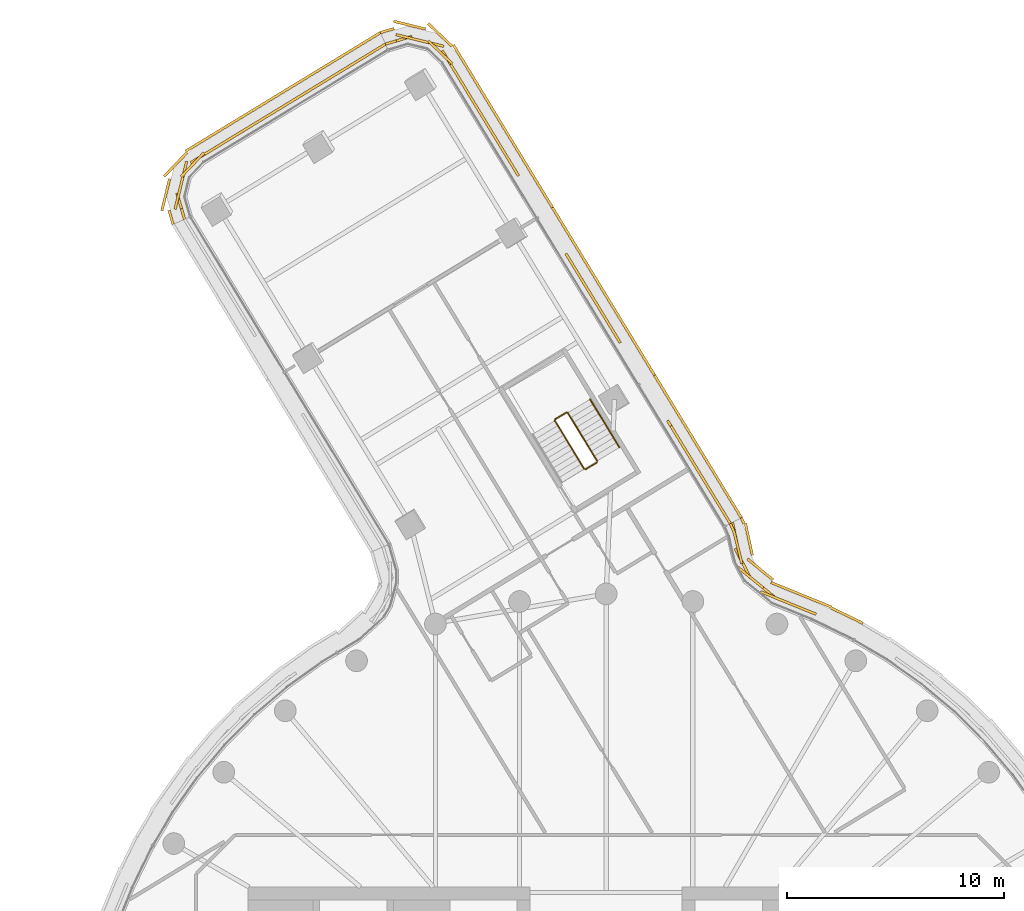
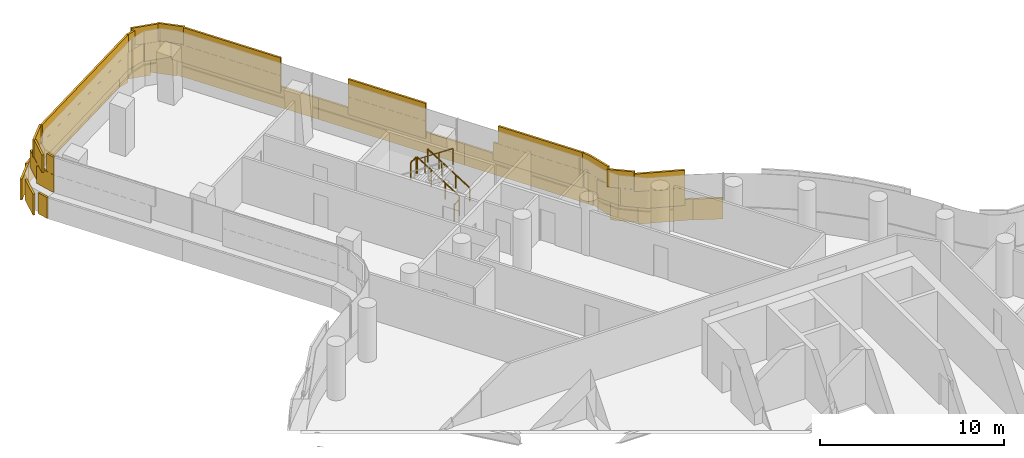
# One storey, part 34 of 35: 5 coverings, 5 railings.
"""IFC4 building model written with IfcOpenShell, lengths in metres."""

from ifc_helpers import new_model, si_unit, direction, frame, origin, origin_2d, place, context, subcontext, project, spatial, rectangle, circle, extrude, material, layer, layer_set, type_object, element, save


model = new_model("IFC4")

# Units and contexts
model_context = context("Model", 3, precision=1e-05, world=origin(), true_north=direction((0.0, 1.0)))
body_context = subcontext(model_context, "Body", "Model", "MODEL_VIEW")
ifc_project = project(units=[si_unit("LENGTHUNIT", "METRE"), si_unit("AREAUNIT", "SQUARE_METRE"), si_unit("VOLUMEUNIT", "CUBIC_METRE"), si_unit("PLANEANGLEUNIT", "RADIAN"), si_unit("MASSUNIT", "GRAM", prefix="KILO")], contexts=[model_context])

# Site, building, storey
site_placement = place(None, origin())
site = spatial("IfcSite", under=ifc_project, at=site_placement, CompositionType="ELEMENT")
building_placement = place(site_placement, origin())
building = spatial("IfcBuilding", under=site, at=building_placement, Name="Tamarind Cross Interchange Tower", CompositionType="ELEMENT")
storey_placement = place(building_placement, frame((0.0, 0.0, 148.0)))
storey = spatial("IfcBuildingStorey", under=building, at=storey_placement, Name="L36", CompositionType="ELEMENT", Elevation=148.0)

# Railings
ifc_material_1 = material(Name="Stair guard")
railing_type_1 = type_object("IfcRailingType", Name="Stair guard", PredefinedType="GUARDRAIL", material=ifc_material_1)
railing_1_placement = place(storey_placement, frame((-0.416015625, 29.123046875, 0.17041015625)))
element("IfcRailing", 1, at=railing_1_placement, inside=storey, type_object=railing_type_1, Name="L36 ST4 stair guard 1", PredefinedType="GUARDRAIL", context=body_context, shape_type="SweptSolid", body=[
    extrude(circle(Radius=0.02392578125, at=origin_2d()), frame((0.0, 0.0, 1.076171875), z_axis=(-0.435025731592, 0.714258854614, 0.548258061006), x_axis=(-0.854060727931, -0.520173310547, 0.0)), (0.0, 0.0, 1.0), 3.109130859375),
    extrude(circle(Radius=0.02099609375, at=origin_2d()), origin(), (0.0, 0.0, 1.0), 1.052001953125),
    extrude(circle(Radius=0.02099609375, at=origin_2d()), frame((-0.450927734375, 0.740234375, 0.568115234375)), (0.0, 0.0, 1.0), 1.052001953125),
    extrude(circle(Radius=0.02099609375, at=origin_2d()), frame((-0.901611328125, 1.48046875, 1.136474609375)), (0.0, 0.0, 1.0), 1.052001953125),
    extrude(circle(Radius=0.02099609375, at=origin_2d()), frame((-1.3525390625, 2.220703125, 1.70458984375)), (0.0, 0.0, 1.0), 1.052001953125),
])
railing_2_placement = place(storey_placement, frame((-1.837158203125, 31.3603515625, 1.875)))
element("IfcRailing", 2, at=railing_2_placement, inside=storey, type_object=railing_type_1, Name="L36 ST4 stair guard 2", PredefinedType="GUARDRAIL", context=body_context, shape_type="SweptSolid", body=[
    extrude(circle(Radius=0.02392578125, at=origin_2d()), frame((0.0, 0.0, 1.076171875), z_axis=(-0.854135686467, -0.520050217868, 0.0), x_axis=(0.520050217868, -0.854135686467, 0.0)), (0.0, 0.0, 1.0), 0.599853515625),
    extrude(circle(Radius=0.02099609375, at=origin_2d()), origin(), (0.0, 0.0, 1.0), 1.052001953125),
    extrude(circle(Radius=0.02099609375, at=origin_2d()), frame((-0.512451171875, -0.31201171875, 0.0)), (0.0, 0.0, 1.0), 1.052001953125),
])
railing_3_placement = place(storey_placement, frame((-2.3662109375, 30.9794921875, 2.04541015625)))
element("IfcRailing", 3, at=railing_3_placement, inside=storey, type_object=railing_type_1, Name="L36 ST4 stair guard 3", PredefinedType="GUARDRAIL", context=body_context, shape_type="SweptSolid", body=[
    extrude(circle(Radius=0.02392578125, at=origin_2d()), frame((0.0, 0.0, 1.076171875), z_axis=(0.434986462403, -0.714244787066, 0.548307542968), x_axis=(0.854077037079, 0.520146531983, 0.0)), (0.0, 0.0, 1.0), 3.10888671875),
    extrude(circle(Radius=0.02099609375, at=origin_2d()), origin(), (0.0, 0.0, 1.0), 1.052001953125),
    extrude(circle(Radius=0.02099609375, at=origin_2d()), frame((0.45068359375, -0.740234375, 0.568115234375)), (0.0, 0.0, 1.0), 1.052001953125),
    extrude(circle(Radius=0.02099609375, at=origin_2d()), frame((0.901611328125, -1.480224609375, 1.136474609375)), (0.0, 0.0, 1.0), 1.052001953125),
    extrude(circle(Radius=0.02099609375, at=origin_2d()), frame((1.352294921875, -2.220458984375, 1.70458984375)), (0.0, 0.0, 1.0), 1.052001953125),
])
railing_4_placement = place(storey_placement, frame((-0.4326171875, 29.054443359375, 0.0)))
element("IfcRailing", 4, at=railing_4_placement, inside=storey, type_object=railing_type_1, Name="L36 ST4 stair guard 4", PredefinedType="GUARDRAIL", context=body_context, shape_type="SweptSolid", body=[
    extrude(circle(Radius=0.02392578125, at=origin_2d()), frame((0.0, 0.0, 1.076171875), z_axis=(-0.854135686467, -0.520050217868, 0.0), x_axis=(0.520050217868, -0.854135686467, 0.0)), (0.0, 0.0, 1.0), 0.599853515625),
    extrude(circle(Radius=0.02099609375, at=origin_2d()), origin(), (0.0, 0.0, 1.0), 1.052001953125),
    extrude(circle(Radius=0.02099609375, at=origin_2d()), frame((-0.512451171875, -0.31201171875, 0.0)), (0.0, 0.0, 1.0), 1.052001953125),
])
ifc_material_2 = material(Name="Stair handrail")
railing_type_2 = type_object("IfcRailingType", Name="Stair handrail", PredefinedType="HANDRAIL", material=ifc_material_2)
railing_5_placement = place(storey_placement, frame((0.60888671875, 29.747314453125, 0.17041015625)))
element("IfcRailing", 5, at=railing_5_placement, inside=storey, type_object=railing_type_2, Name="L36 ST4 stair handrail 1", PredefinedType="HANDRAIL", context=body_context, shape_type="SweptSolid", body=[
    extrude(circle(Radius=0.02392578125, at=origin_2d()), frame((0.0, 0.0, 0.8759765625), z_axis=(-0.435025731592, 0.714258854614, 0.548258061006), x_axis=(-0.854060727931, -0.520173310547, 0.0)), (0.0, 0.0, 1.0), 3.109130859375),
    extrude(circle(Radius=0.02099609375, at=origin_2d()), origin(), (0.0, 0.0, 1.0), 0.851806640625),
    extrude(circle(Radius=0.02099609375, at=origin_2d()), frame((-0.450927734375, 0.740234375, 0.568115234375)), (0.0, 0.0, 1.0), 0.851806640625),
    extrude(circle(Radius=0.02099609375, at=origin_2d()), frame((-0.901611328125, 1.48046875, 1.136474609375)), (0.0, 0.0, 1.0), 0.851806640625),
    extrude(circle(Radius=0.02099609375, at=origin_2d()), frame((-1.3525390625, 2.220703125, 1.70458984375)), (0.0, 0.0, 1.0), 0.851806640625),
])

# Coverings
ifc_material_3 = material(Name="Terracotta", Category="masonry")
ifc_layer = layer(ifc_material_3, 0.1201171875)
ifc_layer_set = layer_set([ifc_layer], Name="Terracotta")
covering_type = type_object("IfcCoveringType", Name="Terracotta baguette screen unit", PredefinedType="MOLDING", material=ifc_layer_set)
covering_1_placement = place(storey_placement, origin())
element("IfcCovering", 6, at=covering_1_placement, inside=storey, type_object=covering_type, Name="SCR-L36-10-01", PredefinedType="MOLDING", context=body_context, shape_type="SweptSolid", body=[
    extrude(rectangle(XDim=0.5107421875, YDim=0.1201171875, at=origin_2d()), frame((9.43115234375, 22.159423828125, 1.404052734375), z_axis=(0.0, 0.0, 1.0), x_axis=(-0.92620693813, 0.377015527214, 0.0)), (0.0, 0.0, 1.0), 1.1669921875),
    extrude(rectangle(XDim=1.52001953125, YDim=0.1201171875, at=origin_2d()), frame((8.50439453125, 22.53662109375, 1.404052734375), z_axis=(0.0, 0.0, 1.0), x_axis=(-0.92620693813, 0.377015527214, 0.0)), (0.0, 0.0, 1.0), 1.1669921875),
    extrude(rectangle(XDim=1.52001953125, YDim=0.1201171875, at=origin_2d()), frame((7.2236328125, 23.28515625, 1.404052734375), z_axis=(0.0, 0.0, 1.0), x_axis=(-0.774710266582, 0.632316378763, 0.0)), (0.0, 0.0, 1.0), 1.1669921875),
    extrude(rectangle(XDim=1.52001953125, YDim=0.1201171875, at=origin_2d()), frame((6.289306640625, 24.418701171875, 1.404052734375), z_axis=(0.0, 0.0, 1.0), x_axis=(-0.461966966478, 0.886897131511, 0.0)), (0.0, 0.0, 1.0), 1.1669921875),
    extrude(rectangle(XDim=1.18408203125, YDim=0.1201171875, at=origin_2d()), frame((5.943603515625, 25.705078125, 1.404052734375), z_axis=(0.0, 0.0, 1.0), x_axis=(-0.211203132854, 0.977442190962, 0.0)), (0.0, 0.0, 1.0), 1.1669921875),
    extrude(rectangle(XDim=1.2607421875, YDim=0.1201171875, at=origin_2d()), frame((9.083740234375, 22.30078125, 2.5791015625), z_axis=(0.0, 0.0, 1.0), x_axis=(-0.92620693813, 0.377015527214, 0.0)), (0.0, 0.0, 1.0), 1.1669921875),
    extrude(rectangle(XDim=1.52001953125, YDim=0.1201171875, at=origin_2d()), frame((7.809814453125, 22.8193359375, 2.5791015625), z_axis=(0.0, 0.0, 1.0), x_axis=(-0.92620693813, 0.377015527214, 0.0)), (0.0, 0.0, 1.0), 1.1669921875),
    extrude(rectangle(XDim=1.52001953125, YDim=0.1201171875, at=origin_2d()), frame((6.642822265625, 23.75927734375, 2.5791015625), z_axis=(0.0, 0.0, 1.0), x_axis=(-0.774710266582, 0.632316378763, 0.0)), (0.0, 0.0, 1.0), 1.1669921875),
    extrude(rectangle(XDim=1.52001953125, YDim=0.1201171875, at=origin_2d()), frame((6.069091796875, 25.131591796875, 2.5791015625), z_axis=(0.0, 0.0, 1.0), x_axis=(-0.238376448652, 0.971172831543, 0.0)), (0.0, 0.0, 1.0), 1.1669921875),
    extrude(rectangle(XDim=0.43408203125, YDim=0.1201171875, at=origin_2d()), frame((5.8017578125, 26.05126953125, 2.5791015625), z_axis=(0.0, 0.0, 1.0), x_axis=(-0.404247815874, 0.914649497546, 0.0)), (0.0, 0.0, 1.0), 1.1669921875),
    extrude(rectangle(XDim=0.138427734375, YDim=0.1201171875, at=origin_2d()), frame((11.75927734375, 21.67041015625, 0.00390625), z_axis=(0.0, 0.0, 1.0), x_axis=(-0.861248933065, 0.508183308752, 0.0)), (0.0, 0.0, 1.0), 1.39208984375),
    extrude(rectangle(XDim=1.52001953125, YDim=0.1201171875, at=origin_2d()), frame((11.035888671875, 22.032470703125, 0.00390625), z_axis=(0.0, 0.0, 1.0), x_axis=(-0.900272776334, 0.435326231914, 0.0)), (0.0, 0.0, 1.0), 1.39208984375),
    extrude(rectangle(XDim=1.52001953125, YDim=0.1201171875, at=origin_2d()), frame((9.681884765625, 22.677001953125, 0.00390625), z_axis=(0.0, 0.0, 1.0), x_axis=(-0.92620693813, 0.377015527214, 0.0)), (0.0, 0.0, 1.0), 1.39208984375),
    extrude(rectangle(XDim=1.52001953125, YDim=0.1201171875, at=origin_2d()), frame((8.29248046875, 23.24267578125, 0.00390625), z_axis=(0.0, 0.0, 1.0), x_axis=(-0.92620693813, 0.377015527214, 0.0)), (0.0, 0.0, 1.0), 1.39208984375),
    extrude(rectangle(XDim=1.52001953125, YDim=0.1201171875, at=origin_2d()), frame((7.094970703125, 24.131103515625, 0.00390625), z_axis=(0.0, 0.0, 1.0), x_axis=(-0.774710266582, 0.632316378763, 0.0)), (0.0, 0.0, 1.0), 1.39208984375),
    extrude(rectangle(XDim=1.52001953125, YDim=0.1201171875, at=origin_2d()), frame((6.570556640625, 25.521484375, 0.00390625), z_axis=(0.0, 0.0, 1.0), x_axis=(-0.211203132854, 0.977442190962, 0.0)), (0.0, 0.0, 1.0), 1.39208984375),
    extrude(rectangle(XDim=0.313720703125, YDim=0.1201171875, at=origin_2d()), frame((6.2890625, 26.3681640625, 0.00390625), z_axis=(0.0, 0.0, 1.0), x_axis=(-0.404247815874, 0.914649497546, 0.0)), (0.0, 0.0, 1.0), 1.39208984375),
])
covering_2_placement = place(storey_placement, origin())
element("IfcCovering", 7, at=covering_2_placement, inside=storey, type_object=covering_type, Name="SCR-L36-11-00", PredefinedType="MOLDING", context=body_context, shape_type="SweptSolid", body=[
    extrude(rectangle(XDim=1.510009765625, YDim=0.1201171875, at=origin_2d()), frame((5.325927734375, 26.8857421875, 1.404052734375), z_axis=(0.0, 0.0, 1.0), x_axis=(-0.520175135901, 0.854059616181, 0.0)), (0.0, 0.0, 1.0), 1.1669921875),
    extrude(rectangle(XDim=1.52001953125, YDim=0.1201171875, at=origin_2d()), frame((4.545654296875, 28.166748046875, 1.404052734375), z_axis=(0.0, 0.0, 1.0), x_axis=(-0.520175135901, 0.854059616181, 0.0)), (0.0, 0.0, 1.0), 1.1669921875),
    extrude(rectangle(XDim=1.52001953125, YDim=0.1201171875, at=origin_2d()), frame((3.765380859375, 29.447998046875, 1.404052734375), z_axis=(0.0, 0.0, 1.0), x_axis=(-0.520175135901, 0.854059616181, 0.0)), (0.0, 0.0, 1.0), 1.1669921875),
    extrude(rectangle(XDim=1.05712890625, YDim=0.1201171875, at=origin_2d()), frame((3.102783203125, 30.53564453125, 1.404052734375), z_axis=(0.0, 0.0, 1.0), x_axis=(-0.520175135901, 0.854059616181, 0.0)), (0.0, 0.0, 1.0), 1.1669921875),
    extrude(rectangle(XDim=0.760009765625, YDim=0.1201171875, at=origin_2d()), frame((5.520751953125, 26.5654296875, 2.5791015625), z_axis=(0.0, 0.0, 1.0), x_axis=(-0.520175135901, 0.854059616181, 0.0)), (0.0, 0.0, 1.0), 1.1669921875),
    extrude(rectangle(XDim=1.52001953125, YDim=0.1201171875, at=origin_2d()), frame((4.935791015625, 27.5263671875, 2.5791015625), z_axis=(0.0, 0.0, 1.0), x_axis=(-0.520175135901, 0.854059616181, 0.0)), (0.0, 0.0, 1.0), 1.1669921875),
    extrude(rectangle(XDim=1.52001953125, YDim=0.1201171875, at=origin_2d()), frame((4.155517578125, 28.807373046875, 2.5791015625), z_axis=(0.0, 0.0, 1.0), x_axis=(-0.520175135901, 0.854059616181, 0.0)), (0.0, 0.0, 1.0), 1.1669921875),
    extrude(rectangle(XDim=1.52001953125, YDim=0.1201171875, at=origin_2d()), frame((3.375244140625, 30.08837890625, 2.5791015625), z_axis=(0.0, 0.0, 1.0), x_axis=(-0.520175135901, 0.854059616181, 0.0)), (0.0, 0.0, 1.0), 1.1669921875),
    extrude(rectangle(XDim=1.510009765625, YDim=0.1201171875, at=origin_2d()), frame((5.8330078125, 27.156494140625, 0.00390625), z_axis=(0.0, 0.0, 1.0), x_axis=(-0.520175135901, 0.854059616181, 0.0)), (0.0, 0.0, 1.0), 1.39208984375),
    extrude(rectangle(XDim=1.52001953125, YDim=0.1201171875, at=origin_2d()), frame((5.055419921875, 28.433349609375, 0.00390625), z_axis=(0.0, 0.0, 1.0), x_axis=(-0.520175135901, 0.854059616181, 0.0)), (0.0, 0.0, 1.0), 1.39208984375),
    extrude(rectangle(XDim=1.52001953125, YDim=0.1201171875, at=origin_2d()), frame((4.275146484375, 29.71435546875, 0.00390625), z_axis=(0.0, 0.0, 1.0), x_axis=(-0.520175135901, 0.854059616181, 0.0)), (0.0, 0.0, 1.0), 1.39208984375),
    extrude(rectangle(XDim=1.52001953125, YDim=0.1201171875, at=origin_2d()), frame((3.494873046875, 30.995361328125, 0.00390625), z_axis=(0.0, 0.0, 1.0), x_axis=(-0.520175135901, 0.854059616181, 0.0)), (0.0, 0.0, 1.0), 1.39208984375),
    extrude(rectangle(XDim=1.52001953125, YDim=0.1201171875, at=origin_2d()), frame((2.714599609375, 32.276611328125, 0.00390625), z_axis=(0.0, 0.0, 1.0), x_axis=(-0.520175135901, 0.854059616181, 0.0)), (0.0, 0.0, 1.0), 1.39208984375),
    extrude(rectangle(XDim=0.191650390625, YDim=0.1201171875, at=origin_2d()), frame((2.27978515625, 32.990478515625, 0.00390625), z_axis=(0.0, 0.0, 1.0), x_axis=(-0.520175135901, 0.854059616181, 0.0)), (0.0, 0.0, 1.0), 1.39208984375),
])
covering_3_placement = place(storey_placement, origin())
element("IfcCovering", 8, at=covering_3_placement, inside=storey, type_object=covering_type, Name="SCR-L36-11-01", PredefinedType="MOLDING", context=body_context, shape_type="SweptSolid", body=[
    extrude(rectangle(XDim=0.762939453125, YDim=0.1201171875, at=origin_2d()), frame((0.449951171875, 34.891357421875, 1.404052734375), z_axis=(0.0, 0.0, 1.0), x_axis=(-0.520175135901, 0.854059616181, 0.0)), (0.0, 0.0, 1.0), 1.1669921875),
    extrude(rectangle(XDim=1.52001953125, YDim=0.1201171875, at=origin_2d()), frame((-0.135986328125, 35.853271484375, 1.404052734375), z_axis=(0.0, 0.0, 1.0), x_axis=(-0.520175135901, 0.854059616181, 0.0)), (0.0, 0.0, 1.0), 1.1669921875),
    extrude(rectangle(XDim=1.52001953125, YDim=0.1201171875, at=origin_2d()), frame((-0.916259765625, 37.134521484375, 1.404052734375), z_axis=(0.0, 0.0, 1.0), x_axis=(-0.520175135901, 0.854059616181, 0.0)), (0.0, 0.0, 1.0), 1.1669921875),
    extrude(rectangle(XDim=1.063720703125, YDim=0.1201171875, at=origin_2d()), frame((-1.58056640625, 38.224853515625, 1.404052734375), z_axis=(0.0, 0.0, 1.0), x_axis=(-0.520175135901, 0.854059616181, 0.0)), (0.0, 0.0, 1.0), 1.1669921875),
    extrude(rectangle(XDim=1.52001953125, YDim=0.1201171875, at=origin_2d()), frame((0.254150390625, 35.212890625, 2.5791015625), z_axis=(0.0, 0.0, 1.0), x_axis=(-0.520175135901, 0.854059616181, 0.0)), (0.0, 0.0, 1.0), 1.1669921875),
    extrude(rectangle(XDim=1.52001953125, YDim=0.1201171875, at=origin_2d()), frame((-0.526123046875, 36.493896484375, 2.5791015625), z_axis=(0.0, 0.0, 1.0), x_axis=(-0.520175135901, 0.854059616181, 0.0)), (0.0, 0.0, 1.0), 1.1669921875),
    extrude(rectangle(XDim=1.52001953125, YDim=0.1201171875, at=origin_2d()), frame((-1.306396484375, 37.77490234375, 2.5791015625), z_axis=(0.0, 0.0, 1.0), x_axis=(-0.520175135901, 0.854059616181, 0.0)), (0.0, 0.0, 1.0), 1.1669921875),
    extrude(rectangle(XDim=0.313720703125, YDim=0.1201171875, at=origin_2d()), frame((-1.775634765625, 38.545166015625, 2.5791015625), z_axis=(0.0, 0.0, 1.0), x_axis=(-0.520175135901, 0.854059616181, 0.0)), (0.0, 0.0, 1.0), 1.1669921875),
    extrude(rectangle(XDim=1.328369140625, YDim=0.1201171875, at=origin_2d()), frame((1.884521484375, 33.639404296875, 0.00390625), z_axis=(0.0, 0.0, 1.0), x_axis=(-0.520175135901, 0.854059616181, 0.0)), (0.0, 0.0, 1.0), 1.39208984375),
    extrude(rectangle(XDim=1.52001953125, YDim=0.1201171875, at=origin_2d()), frame((1.154052734375, 34.838623046875, 0.00390625), z_axis=(0.0, 0.0, 1.0), x_axis=(-0.520175135901, 0.854059616181, 0.0)), (0.0, 0.0, 1.0), 1.39208984375),
    extrude(rectangle(XDim=1.52001953125, YDim=0.1201171875, at=origin_2d()), frame((0.373779296875, 36.119873046875, 0.00390625), z_axis=(0.0, 0.0, 1.0), x_axis=(-0.520175135901, 0.854059616181, 0.0)), (0.0, 0.0, 1.0), 1.39208984375),
    extrude(rectangle(XDim=1.52001953125, YDim=0.1201171875, at=origin_2d()), frame((-0.406494140625, 37.40087890625, 0.00390625), z_axis=(0.0, 0.0, 1.0), x_axis=(-0.520175135901, 0.854059616181, 0.0)), (0.0, 0.0, 1.0), 1.39208984375),
    extrude(rectangle(XDim=1.52001953125, YDim=0.1201171875, at=origin_2d()), frame((-1.186767578125, 38.681884765625, 0.00390625), z_axis=(0.0, 0.0, 1.0), x_axis=(-0.520175135901, 0.854059616181, 0.0)), (0.0, 0.0, 1.0), 1.39208984375),
    extrude(rectangle(XDim=1.52001953125, YDim=0.1201171875, at=origin_2d()), frame((-1.967041015625, 39.963134765625, 0.00390625), z_axis=(0.0, 0.0, 1.0), x_axis=(-0.520175135901, 0.854059616181, 0.0)), (0.0, 0.0, 1.0), 1.39208984375),
    extrude(rectangle(XDim=0.23876953125, YDim=0.1201171875, at=origin_2d()), frame((-2.4140625, 40.697021484375, 0.00390625), z_axis=(0.0, 0.0, 1.0), x_axis=(-0.520175135901, 0.854059616181, 0.0)), (0.0, 0.0, 1.0), 1.39208984375),
])
covering_4_placement = place(storey_placement, origin())
element("IfcCovering", 9, at=covering_4_placement, inside=storey, type_object=covering_type, Name="SCR-L36-11-02", PredefinedType="MOLDING", context=body_context, shape_type="SweptSolid", body=[
    extrude(rectangle(XDim=0.75634765625, YDim=0.1201171875, at=origin_2d()), frame((-4.2333984375, 42.58056640625, 1.404052734375), z_axis=(0.0, 0.0, 1.0), x_axis=(-0.520175135901, 0.854059616181, 0.0)), (0.0, 0.0, 1.0), 1.1669921875),
    extrude(rectangle(XDim=1.52001953125, YDim=0.1201171875, at=origin_2d()), frame((-4.817626953125, 43.539794921875, 1.404052734375), z_axis=(0.0, 0.0, 1.0), x_axis=(-0.520175135901, 0.854059616181, 0.0)), (0.0, 0.0, 1.0), 1.1669921875),
    extrude(rectangle(XDim=1.52001953125, YDim=0.1201171875, at=origin_2d()), frame((-5.597900390625, 44.821044921875, 1.404052734375), z_axis=(0.0, 0.0, 1.0), x_axis=(-0.520175135901, 0.854059616181, 0.0)), (0.0, 0.0, 1.0), 1.1669921875),
    extrude(rectangle(XDim=1.52001953125, YDim=0.1201171875, at=origin_2d()), frame((-6.378173828125, 46.10205078125, 1.404052734375), z_axis=(0.0, 0.0, 1.0), x_axis=(-0.520175135901, 0.854059616181, 0.0)), (0.0, 0.0, 1.0), 1.1669921875),
    extrude(rectangle(XDim=1.52001953125, YDim=0.1201171875, at=origin_2d()), frame((-7.158447265625, 47.383056640625, 1.404052734375), z_axis=(0.0, 0.0, 1.0), x_axis=(-0.520175135901, 0.854059616181, 0.0)), (0.0, 0.0, 1.0), 1.1669921875),
    extrude(rectangle(XDim=1.52001953125, YDim=0.1201171875, at=origin_2d()), frame((-8.21728515625, 48.40576171875, 1.404052734375), z_axis=(0.0, 0.0, 1.0), x_axis=(-0.971730712139, 0.236091980139, 0.0)), (0.0, 0.0, 1.0), 1.1669921875),
    extrude(rectangle(XDim=1.280029296875, YDim=0.1201171875, at=origin_2d()), frame((-9.557861328125, 48.5068359375, 1.404052734375), z_axis=(0.0, 0.0, 1.0), x_axis=(-0.959589472419, -0.281403703639, 0.0)), (0.0, 0.0, 1.0), 1.1669921875),
    extrude(rectangle(XDim=1.50634765625, YDim=0.1201171875, at=origin_2d()), frame((-4.428466796875, 42.90087890625, 2.5791015625), z_axis=(0.0, 0.0, 1.0), x_axis=(-0.520175135901, 0.854059616181, 0.0)), (0.0, 0.0, 1.0), 1.1669921875),
    extrude(rectangle(XDim=1.52001953125, YDim=0.1201171875, at=origin_2d()), frame((-5.207763671875, 44.180419921875, 2.5791015625), z_axis=(0.0, 0.0, 1.0), x_axis=(-0.520175135901, 0.854059616181, 0.0)), (0.0, 0.0, 1.0), 1.1669921875),
    extrude(rectangle(XDim=1.52001953125, YDim=0.1201171875, at=origin_2d()), frame((-5.988037109375, 45.46142578125, 2.5791015625), z_axis=(0.0, 0.0, 1.0), x_axis=(-0.520175135901, 0.854059616181, 0.0)), (0.0, 0.0, 1.0), 1.1669921875),
    extrude(rectangle(XDim=1.52001953125, YDim=0.1201171875, at=origin_2d()), frame((-6.768310546875, 46.74267578125, 2.5791015625), z_axis=(0.0, 0.0, 1.0), x_axis=(-0.520175135901, 0.854059616181, 0.0)), (0.0, 0.0, 1.0), 1.1669921875),
    extrude(rectangle(XDim=1.52001953125, YDim=0.1201171875, at=origin_2d()), frame((-7.64111328125, 47.948974609375, 2.5791015625), z_axis=(0.0, 0.0, 1.0), x_axis=(-0.72349749228, 0.6903270085, 0.0)), (0.0, 0.0, 1.0), 1.1669921875),
    extrude(rectangle(XDim=1.52001953125, YDim=0.1201171875, at=origin_2d()), frame((-8.946044921875, 48.582763671875, 2.5791015625), z_axis=(0.0, 0.0, 1.0), x_axis=(-0.971730712139, 0.236091980139, 0.0)), (0.0, 0.0, 1.0), 1.1669921875),
    extrude(rectangle(XDim=0.530029296875, YDim=0.1201171875, at=origin_2d()), frame((-9.917724609375, 48.4013671875, 2.5791015625), z_axis=(0.0, 0.0, 1.0), x_axis=(-0.959589472419, -0.281403703639, 0.0)), (0.0, 0.0, 1.0), 1.1669921875),
    extrude(rectangle(XDim=1.28125, YDim=0.1201171875, at=origin_2d()), frame((-2.809326171875, 41.34619140625, 0.00390625), z_axis=(0.0, 0.0, 1.0), x_axis=(-0.520175135901, 0.854059616181, 0.0)), (0.0, 0.0, 1.0), 1.39208984375),
    extrude(rectangle(XDim=1.52001953125, YDim=0.1201171875, at=origin_2d()), frame((-3.527587890625, 42.525146484375, 0.00390625), z_axis=(0.0, 0.0, 1.0), x_axis=(-0.520175135901, 0.854059616181, 0.0)), (0.0, 0.0, 1.0), 1.39208984375),
    extrude(rectangle(XDim=1.52001953125, YDim=0.1201171875, at=origin_2d()), frame((-4.307861328125, 43.806396484375, 0.00390625), z_axis=(0.0, 0.0, 1.0), x_axis=(-0.520175135901, 0.854059616181, 0.0)), (0.0, 0.0, 1.0), 1.39208984375),
    extrude(rectangle(XDim=1.52001953125, YDim=0.1201171875, at=origin_2d()), frame((-5.088134765625, 45.08740234375, 0.00390625), z_axis=(0.0, 0.0, 1.0), x_axis=(-0.520175135901, 0.854059616181, 0.0)), (0.0, 0.0, 1.0), 1.39208984375),
    extrude(rectangle(XDim=1.52001953125, YDim=0.1201171875, at=origin_2d()), frame((-5.868408203125, 46.36865234375, 0.00390625), z_axis=(0.0, 0.0, 1.0), x_axis=(-0.520175135901, 0.854059616181, 0.0)), (0.0, 0.0, 1.0), 1.39208984375),
    extrude(rectangle(XDim=1.52001953125, YDim=0.1201171875, at=origin_2d()), frame((-6.648681640625, 47.649658203125, 0.00390625), z_axis=(0.0, 0.0, 1.0), x_axis=(-0.520175135901, 0.854059616181, 0.0)), (0.0, 0.0, 1.0), 1.39208984375),
    extrude(rectangle(XDim=1.52001953125, YDim=0.1201171875, at=origin_2d()), frame((-7.651123046875, 48.751708984375, 0.00390625), z_axis=(0.0, 0.0, 1.0), x_axis=(-0.72349749228, 0.6903270085, 0.0)), (0.0, 0.0, 1.0), 1.39208984375),
    extrude(rectangle(XDim=1.52001953125, YDim=0.1201171875, at=origin_2d()), frame((-9.05712890625, 49.200439453125, 0.00390625), z_axis=(0.0, 0.0, 1.0), x_axis=(-0.971730712139, 0.236091980139, 0.0)), (0.0, 0.0, 1.0), 1.39208984375),
    extrude(rectangle(XDim=0.65966796875, YDim=0.1201171875, at=origin_2d()), frame((-10.084716796875, 48.950439453125, 0.00390625), z_axis=(0.0, 0.0, 1.0), x_axis=(-0.959589472419, -0.281403703639, 0.0)), (0.0, 0.0, 1.0), 1.39208984375),
])
covering_5_placement = place(storey_placement, origin())
element("IfcCovering", 10, at=covering_5_placement, inside=storey, type_object=covering_type, Name="SCR-L36-12-00", PredefinedType="MOLDING", context=body_context, shape_type="SweptSolid", body=[
    extrude(rectangle(XDim=1.510009765625, YDim=0.1201171875, at=origin_2d()), frame((-10.807861328125, 47.93798828125, 1.404052734375), z_axis=(0.0, 0.0, 1.0), x_axis=(-0.854059616181, -0.520175135901, 0.0)), (0.0, 0.0, 1.0), 1.1669921875),
    extrude(rectangle(XDim=1.52001953125, YDim=0.1201171875, at=origin_2d()), frame((-12.0888671875, 47.15771484375, 1.404052734375), z_axis=(0.0, 0.0, 1.0), x_axis=(-0.854059616181, -0.520175135901, 0.0)), (0.0, 0.0, 1.0), 1.1669921875),
    extrude(rectangle(XDim=1.52001953125, YDim=0.1201171875, at=origin_2d()), frame((-13.369873046875, 46.37744140625, 1.404052734375), z_axis=(0.0, 0.0, 1.0), x_axis=(-0.854059616181, -0.520175135901, 0.0)), (0.0, 0.0, 1.0), 1.1669921875),
    extrude(rectangle(XDim=1.52001953125, YDim=0.1201171875, at=origin_2d()), frame((-14.651123046875, 45.59716796875, 1.404052734375), z_axis=(0.0, 0.0, 1.0), x_axis=(-0.854059616181, -0.520175135901, 0.0)), (0.0, 0.0, 1.0), 1.1669921875),
    extrude(rectangle(XDim=1.52001953125, YDim=0.1201171875, at=origin_2d()), frame((-15.93212890625, 44.817138671875, 1.404052734375), z_axis=(0.0, 0.0, 1.0), x_axis=(-0.854059616181, -0.520175135901, 0.0)), (0.0, 0.0, 1.0), 1.1669921875),
    extrude(rectangle(XDim=1.52001953125, YDim=0.1201171875, at=origin_2d()), frame((-17.213134765625, 44.036865234375, 1.404052734375), z_axis=(0.0, 0.0, 1.0), x_axis=(-0.854059616181, -0.520175135901, 0.0)), (0.0, 0.0, 1.0), 1.1669921875),
    extrude(rectangle(XDim=1.52001953125, YDim=0.1201171875, at=origin_2d()), frame((-18.494384765625, 43.256591796875, 1.404052734375), z_axis=(0.0, 0.0, 1.0), x_axis=(-0.854059616181, -0.520175135901, 0.0)), (0.0, 0.0, 1.0), 1.1669921875),
    extrude(rectangle(XDim=1.52001953125, YDim=0.1201171875, at=origin_2d()), frame((-19.504150390625, 42.1884765625, 1.404052734375), z_axis=(0.0, 0.0, 1.0), x_axis=(-0.236091980139, -0.971730712139, 0.0)), (0.0, 0.0, 1.0), 1.1669921875),
    extrude(rectangle(XDim=1.259521484375, YDim=0.1201171875, at=origin_2d()), frame((-19.597900390625, 40.85791015625, 1.404052734375), z_axis=(0.0, 0.0, 1.0), x_axis=(0.281403703639, -0.959589472419, 0.0)), (0.0, 0.0, 1.0), 1.1669921875),
    extrude(rectangle(XDim=0.760009765625, YDim=0.1201171875, at=origin_2d()), frame((-10.487548828125, 48.133056640625, 2.5791015625), z_axis=(0.0, 0.0, 1.0), x_axis=(-0.854059616181, -0.520175135901, 0.0)), (0.0, 0.0, 1.0), 1.1669921875),
    extrude(rectangle(XDim=1.52001953125, YDim=0.1201171875, at=origin_2d()), frame((-11.4482421875, 47.5478515625, 2.5791015625), z_axis=(0.0, 0.0, 1.0), x_axis=(-0.854059616181, -0.520175135901, 0.0)), (0.0, 0.0, 1.0), 1.1669921875),
    extrude(rectangle(XDim=1.52001953125, YDim=0.1201171875, at=origin_2d()), frame((-12.7294921875, 46.767578125, 2.5791015625), z_axis=(0.0, 0.0, 1.0), x_axis=(-0.854059616181, -0.520175135901, 0.0)), (0.0, 0.0, 1.0), 1.1669921875),
    extrude(rectangle(XDim=1.52001953125, YDim=0.1201171875, at=origin_2d()), frame((-14.010498046875, 45.9873046875, 2.5791015625), z_axis=(0.0, 0.0, 1.0), x_axis=(-0.854059616181, -0.520175135901, 0.0)), (0.0, 0.0, 1.0), 1.1669921875),
    extrude(rectangle(XDim=1.52001953125, YDim=0.1201171875, at=origin_2d()), frame((-15.29150390625, 45.20703125, 2.5791015625), z_axis=(0.0, 0.0, 1.0), x_axis=(-0.854059616181, -0.520175135901, 0.0)), (0.0, 0.0, 1.0), 1.1669921875),
    extrude(rectangle(XDim=1.52001953125, YDim=0.1201171875, at=origin_2d()), frame((-16.57275390625, 44.427001953125, 2.5791015625), z_axis=(0.0, 0.0, 1.0), x_axis=(-0.854059616181, -0.520175135901, 0.0)), (0.0, 0.0, 1.0), 1.1669921875),
    extrude(rectangle(XDim=1.52001953125, YDim=0.1201171875, at=origin_2d()), frame((-17.853759765625, 43.646728515625, 2.5791015625), z_axis=(0.0, 0.0, 1.0), x_axis=(-0.854059616181, -0.520175135901, 0.0)), (0.0, 0.0, 1.0), 1.1669921875),
    extrude(rectangle(XDim=1.52001953125, YDim=0.1201171875, at=origin_2d()), frame((-19.056884765625, 42.76953125, 2.5791015625), z_axis=(0.0, 0.0, 1.0), x_axis=(-0.6903270085, -0.72349749228, 0.0)), (0.0, 0.0, 1.0), 1.1669921875),
    extrude(rectangle(XDim=1.52001953125, YDim=0.1201171875, at=origin_2d()), frame((-19.68115234375, 41.459716796875, 2.5791015625), z_axis=(0.0, 0.0, 1.0), x_axis=(-0.236091980139, -0.971730712139, 0.0)), (0.0, 0.0, 1.0), 1.1669921875),
    extrude(rectangle(XDim=0.509521484375, YDim=0.1201171875, at=origin_2d()), frame((-19.4921875, 40.498046875, 2.5791015625), z_axis=(0.0, 0.0, 1.0), x_axis=(0.281403703639, -0.959589472419, 0.0)), (0.0, 0.0, 1.0), 1.1669921875),
    extrude(rectangle(XDim=1.510009765625, YDim=0.1201171875, at=origin_2d()), frame((-11.046142578125, 48.465087890625, 0.00390625), z_axis=(0.0, 0.0, 1.0), x_axis=(-0.854059616181, -0.520175135901, 0.0)), (0.0, 0.0, 1.0), 1.39208984375),
    extrude(rectangle(XDim=1.52001953125, YDim=0.1201171875, at=origin_2d()), frame((-12.322998046875, 47.687255859375, 0.00390625), z_axis=(0.0, 0.0, 1.0), x_axis=(-0.854059616181, -0.520175135901, 0.0)), (0.0, 0.0, 1.0), 1.39208984375),
    extrude(rectangle(XDim=1.52001953125, YDim=0.1201171875, at=origin_2d()), frame((-13.60400390625, 46.906982421875, 0.00390625), z_axis=(0.0, 0.0, 1.0), x_axis=(-0.854059616181, -0.520175135901, 0.0)), (0.0, 0.0, 1.0), 1.39208984375),
    extrude(rectangle(XDim=1.52001953125, YDim=0.1201171875, at=origin_2d()), frame((-14.885009765625, 46.126708984375, 0.00390625), z_axis=(0.0, 0.0, 1.0), x_axis=(-0.854059616181, -0.520175135901, 0.0)), (0.0, 0.0, 1.0), 1.39208984375),
    extrude(rectangle(XDim=1.52001953125, YDim=0.1201171875, at=origin_2d()), frame((-16.166259765625, 45.3466796875, 0.00390625), z_axis=(0.0, 0.0, 1.0), x_axis=(-0.854059616181, -0.520175135901, 0.0)), (0.0, 0.0, 1.0), 1.39208984375),
    extrude(rectangle(XDim=1.52001953125, YDim=0.1201171875, at=origin_2d()), frame((-17.447265625, 44.56640625, 0.00390625), z_axis=(0.0, 0.0, 1.0), x_axis=(-0.854059616181, -0.520175135901, 0.0)), (0.0, 0.0, 1.0), 1.39208984375),
    extrude(rectangle(XDim=1.52001953125, YDim=0.1201171875, at=origin_2d()), frame((-18.728271484375, 43.7861328125, 0.00390625), z_axis=(0.0, 0.0, 1.0), x_axis=(-0.854059616181, -0.520175135901, 0.0)), (0.0, 0.0, 1.0), 1.39208984375),
    extrude(rectangle(XDim=1.52001953125, YDim=0.1201171875, at=origin_2d()), frame((-19.83349609375, 42.787109375, 0.00390625), z_axis=(0.0, 0.0, 1.0), x_axis=(-0.6903270085, -0.72349749228, 0.0)), (0.0, 0.0, 1.0), 1.39208984375),
    extrude(rectangle(XDim=1.52001953125, YDim=0.1201171875, at=origin_2d()), frame((-20.2900390625, 41.385498046875, 0.00390625), z_axis=(0.0, 0.0, 1.0), x_axis=(-0.236091980139, -0.971730712139, 0.0)), (0.0, 0.0, 1.0), 1.39208984375),
    extrude(rectangle(XDim=0.676513671875, YDim=0.1201171875, at=origin_2d()), frame((-20.046875, 40.349365234375, 0.00390625), z_axis=(0.0, 0.0, 1.0), x_axis=(0.281403703639, -0.959589472419, 0.0)), (0.0, 0.0, 1.0), 1.39208984375),
])

save(model, "model.ifc")
